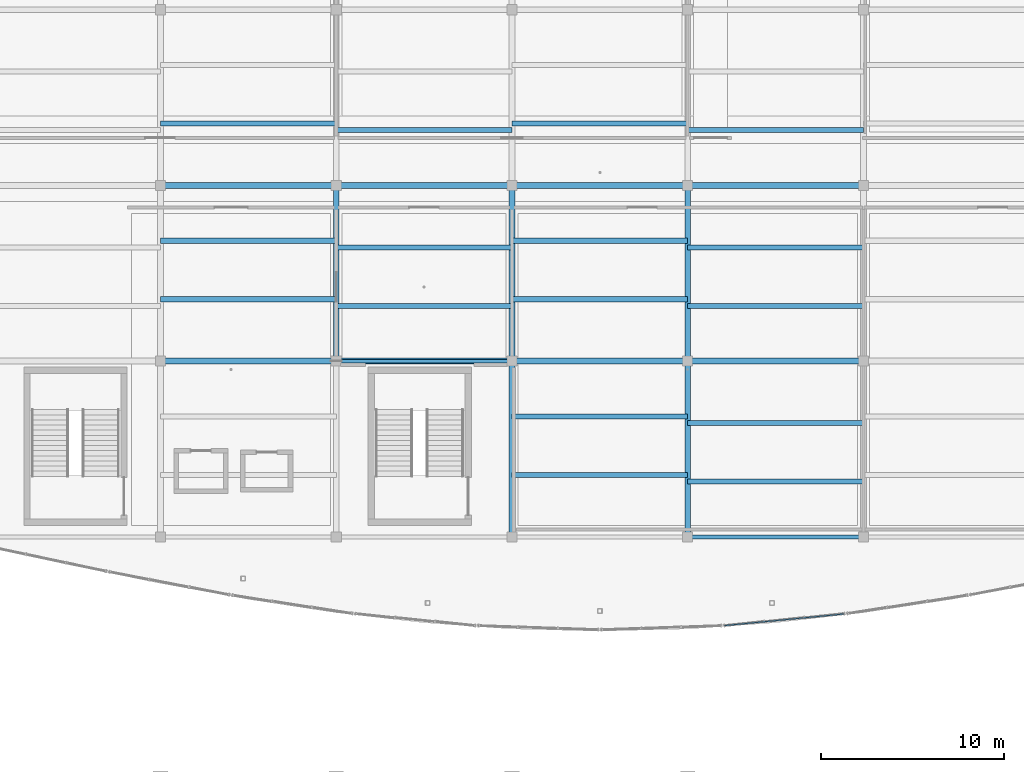
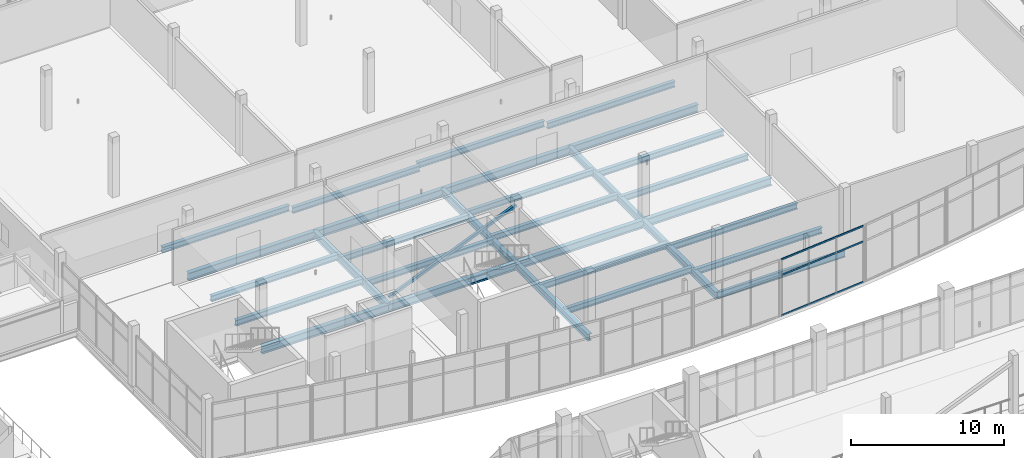
# One storey, part 83 of 157: 30 beams, 4 members, 1 element without a shape of its own.
"""IFC4 building model written with IfcOpenShell, lengths in metres."""

from ifc_helpers import new_model, si_unit, direction, frame, origin, origin_2d, place, context, subcontext, project, spatial, hollow_rectangle, i_section, extrude, material, layer, layer_set, material_profile, profile_set, type_object, element, aggregate, save


model = new_model("IFC4")

# Units and contexts
model_context = context("Model", 3, precision=1e-05, world=origin(), true_north=direction((0.0, 1.0)))
body_context = subcontext(model_context, "Body", "Model", "MODEL_VIEW")
ifc_project = project(units=[si_unit("LENGTHUNIT", "METRE"), si_unit("AREAUNIT", "SQUARE_METRE"), si_unit("VOLUMEUNIT", "CUBIC_METRE"), si_unit("PLANEANGLEUNIT", "RADIAN"), si_unit("MASSUNIT", "GRAM", prefix="KILO")], contexts=[model_context])

# Site, building, storey
site_placement = place(None, origin())
site = spatial("IfcSite", under=ifc_project, at=site_placement, CompositionType="ELEMENT")
building_placement = place(site_placement, origin())
building = spatial("IfcBuilding", under=site, at=building_placement, Name="Chalmorin Arch Market", CompositionType="ELEMENT")
storey_placement = place(building_placement, frame((0.0, 0.0, 4.800048828125)))
storey = spatial("IfcBuildingStorey", under=building, at=storey_placement, Name="L01", CompositionType="ELEMENT", Elevation=4.800048828125)

# Curtain wall, members
ifc_material_1 = material(Name="Aluminium 6063-T6", Category="aluminium")
ifc_layer = layer(ifc_material_1, 0.159912109375)
ifc_layer_set = layer_set([ifc_layer], Name="Aluminium 6063-T6")
curtain_wall_type = type_object("IfcCurtainWallType", Name="CulinaryStudioCurtainWall-CW3-6570x4520", PredefinedType="NOTDEFINED", material=ifc_layer_set)
curtain_wall_placement = place(storey_placement, origin())
curtain_wall = element("IfcCurtainWall", 1, at=curtain_wall_placement, inside=storey, type_object=curtain_wall_type, Name="CW-03-168", PredefinedType="NOTDEFINED")
ifc_material_profile_1 = material_profile(ifc_material_1, hollow_rectangle(XDim=0.06494140625, YDim=0.1298828125, WallThickness=0.00390625, at=origin_2d()), Name="ALU65X130X4")
ifc_profile_set_1 = profile_set([ifc_material_profile_1], Name="Aluminium 6063-T6")
member_type_1 = type_object("IfcMemberType", Name="CurtainWallTransom-65x130", PredefinedType="USERDEFINED", material=ifc_profile_set_1)
member_1_placement = place(storey_placement, frame((88.40966796875, 67.15380859375, 0.034912109375), z_axis=(0.995298859057, 0.096851335357, 0.0), x_axis=(-0.096851335357, 0.995298859057, 0.0)))
member_1 = element("IfcMember", 2, at=member_1_placement, type_object=member_type_1, Name="TR-168-01", ObjectType="TRANSOM", PredefinedType="USERDEFINED", context=body_context, shape_type="SweptSolid", body=[
    extrude(hollow_rectangle(XDim=0.06494140625, YDim=0.1298828125, WallThickness=0.00390625, at=origin_2d()), origin(), (0.0, 0.0, 1.0), 6.57177734375),
])
member_2_placement = place(storey_placement, frame((88.40966796875, 67.15380859375, 3.25439453125), z_axis=(0.995298859057, 0.096851335357, 0.0), x_axis=(-0.096851335357, 0.995298859057, 0.0)))
member_2 = element("IfcMember", 3, at=member_2_placement, type_object=member_type_1, Name="TR-168-02", ObjectType="TRANSOM", PredefinedType="USERDEFINED", context=body_context, shape_type="SweptSolid", body=[
    extrude(hollow_rectangle(XDim=0.06494140625, YDim=0.1298828125, WallThickness=0.00390625, at=origin_2d()), origin(), (0.0, 0.0, 1.0), 6.57177734375),
])
member_3_placement = place(storey_placement, frame((88.40966796875, 67.15380859375, 4.48486328125), z_axis=(0.995298859057, 0.096851335357, 0.0), x_axis=(-0.096851335357, 0.995298859057, 0.0)))
member_3 = element("IfcMember", 4, at=member_3_placement, type_object=member_type_1, Name="TR-168-03", ObjectType="TRANSOM", PredefinedType="USERDEFINED", context=body_context, shape_type="SweptSolid", body=[
    extrude(hollow_rectangle(XDim=0.06494140625, YDim=0.1298828125, WallThickness=0.00390625, at=origin_2d()), origin(), (0.0, 0.0, 1.0), 6.57177734375),
])
aggregate(curtain_wall, [member_1, member_2, member_3])

# Beams
ifc_material_2 = material(Name="Steel A992 Grade 50", Category="steel")
ifc_material_profile_2 = material_profile(ifc_material_2, i_section(OverallWidth=0.326904296875, OverallDepth=0.6220703125, WebThickness=0.015380859375, FlangeThickness=0.0244140625, FilletRadius=0.02392578125, at=origin_2d()), Name="W24X131")
ifc_profile_set_2 = profile_set([ifc_material_profile_2], Name="Steel A992 Grade 50")
beam_type_1 = type_object("IfcBeamType", Name="HeavyFloorGirder-W24X131", PredefinedType="BEAM", material=ifc_profile_set_2)
for number, where, z_axis, x_axis, name in (
    (5, (57.60009765625, 81.60009765625, -0.633056640625), (1.0, 0.0, 0.0), (0.0, 1.0, 0.0), "BG-W24C-0895"),
    (6, (57.60009765625, 91.199951171875, -0.633056640625), (1.0, 0.0, 0.0), (0.0, 1.0, 0.0), "BG-W24C-0897"),
):
    element("IfcBeam", number, at=place(storey_placement, frame(where, z_axis=z_axis, x_axis=x_axis)), inside=storey, type_object=beam_type_1, Name=name, PredefinedType="BEAM", context=body_context, shape_type="SweptSolid", body=[
        extrude(i_section(OverallWidth=0.326904296875, OverallDepth=0.6220703125, WebThickness=0.015380859375, FlangeThickness=0.0244140625, FilletRadius=0.02392578125, at=origin_2d()), origin(), (0.0, 0.0, 1.0), 9.599853515625),
    ])
for number, where, z_axis, x_axis, name in (
    (7, (67.199951171875, 81.60009765625, -0.633056640625), (1.0, 0.0, 0.0), (0.0, 1.0, 0.0), "BG-W24C-0906"),
    (8, (67.199951171875, 91.199951171875, -0.633056640625), (1.0, 0.0, 0.0), (0.0, 1.0, 0.0), "BG-W24C-0908"),
):
    element("IfcBeam", number, at=place(storey_placement, frame(where, z_axis=z_axis, x_axis=x_axis)), inside=storey, type_object=beam_type_1, Name=name, PredefinedType="BEAM", context=body_context, shape_type="SweptSolid", body=[
        extrude(i_section(OverallWidth=0.326904296875, OverallDepth=0.6220703125, WebThickness=0.015380859375, FlangeThickness=0.0244140625, FilletRadius=0.02392578125, at=origin_2d()), origin(), (0.0, 0.0, 1.0), 9.60009765625),
    ])
for number, where, z_axis, x_axis, name in (
    (9, (76.800048828125, 81.60009765625, -0.633056640625), (1.0, 0.0, 0.0), (0.0, 1.0, 0.0), "BG-W24C-0917"),
    (10, (76.800048828125, 91.199951171875, -0.633056640625), (1.0, 0.0, 0.0), (0.0, 1.0, 0.0), "BG-W24C-0919"),
):
    element("IfcBeam", number, at=place(storey_placement, frame(where, z_axis=z_axis, x_axis=x_axis)), inside=storey, type_object=beam_type_1, Name=name, PredefinedType="BEAM", context=body_context, shape_type="SweptSolid", body=[
        extrude(i_section(OverallWidth=0.326904296875, OverallDepth=0.6220703125, WebThickness=0.015380859375, FlangeThickness=0.0244140625, FilletRadius=0.02392578125, at=origin_2d()), origin(), (0.0, 0.0, 1.0), 9.599853515625),
    ])
for number, where, z_axis, x_axis, name in (
    (11, (86.39990234375, 81.60009765625, -0.633056640625), (1.0, 0.0, 0.0), (0.0, 1.0, 0.0), "BG-W24C-0928"),
    (12, (86.39990234375, 91.199951171875, -0.633056640625), (1.0, 0.0, 0.0), (0.0, 1.0, 0.0), "BG-W24C-0930"),
):
    element("IfcBeam", number, at=place(storey_placement, frame(where, z_axis=z_axis, x_axis=x_axis)), inside=storey, type_object=beam_type_1, Name=name, PredefinedType="BEAM", context=body_context, shape_type="SweptSolid", body=[
        extrude(i_section(OverallWidth=0.326904296875, OverallDepth=0.6220703125, WebThickness=0.015380859375, FlangeThickness=0.0244140625, FilletRadius=0.02392578125, at=origin_2d()), origin(), (0.0, 0.0, 1.0), 9.60009765625),
    ])
ifc_material_profile_3 = material_profile(ifc_material_2, i_section(OverallWidth=0.31201171875, OverallDepth=0.54296875, WebThickness=0.0126953125, FlangeThickness=0.020263671875, FilletRadius=0.02197265625, at=origin_2d()), Name="W21X101")
ifc_profile_set_3 = profile_set([ifc_material_profile_3], Name="Steel A992 Grade 50")
beam_type_2 = type_object("IfcBeamType", Name="KitchenSteelGirder-W21X101", PredefinedType="BEAM", material=ifc_profile_set_3)
beam_1_placement = place(storey_placement, frame((67.199951171875, 81.60009765625, -0.593505859375), z_axis=(0.0, 1.0, 0.0), x_axis=(-1.0, 0.0, 0.0)))
element("IfcBeam", 13, at=beam_1_placement, inside=storey, type_object=beam_type_2, Name="BG-W21C-0898", PredefinedType="BEAM", context=body_context, shape_type="SweptSolid", body=[
    extrude(i_section(OverallWidth=0.31201171875, OverallDepth=0.54296875, WebThickness=0.0126953125, FlangeThickness=0.020263671875, FilletRadius=0.02197265625, at=origin_2d()), origin(), (0.0, 0.0, 1.0), 9.599853515625),
])
beam_2_placement = place(storey_placement, frame((76.800048828125, 72.0, -0.593505859375), z_axis=(0.0, 1.0, 0.0), x_axis=(-1.0, 0.0, 0.0)))
element("IfcBeam", 14, at=beam_2_placement, inside=storey, type_object=beam_type_2, Name="BG-W21C-0907", PredefinedType="BEAM", context=body_context, shape_type="SweptSolid", body=[
    extrude(i_section(OverallWidth=0.31201171875, OverallDepth=0.54296875, WebThickness=0.0126953125, FlangeThickness=0.020263671875, FilletRadius=0.02197265625, at=origin_2d()), origin(), (0.0, 0.0, 1.0), 9.60009765625),
])
beam_3_placement = place(storey_placement, frame((76.800048828125, 81.60009765625, -0.593505859375), z_axis=(0.0, 1.0, 0.0), x_axis=(-1.0, 0.0, 0.0)))
element("IfcBeam", 15, at=beam_3_placement, inside=storey, type_object=beam_type_2, Name="BG-W21C-0909", PredefinedType="BEAM", context=body_context, shape_type="SweptSolid", body=[
    extrude(i_section(OverallWidth=0.31201171875, OverallDepth=0.54296875, WebThickness=0.0126953125, FlangeThickness=0.020263671875, FilletRadius=0.02197265625, at=origin_2d()), origin(), (0.0, 0.0, 1.0), 9.599853515625),
])
beam_4_placement = place(storey_placement, frame((86.39990234375, 72.0, -0.593505859375), z_axis=(0.0, 1.0, 0.0), x_axis=(-1.0, 0.0, 0.0)))
element("IfcBeam", 16, at=beam_4_placement, inside=storey, type_object=beam_type_2, Name="BG-W21C-0918", PredefinedType="BEAM", context=body_context, shape_type="SweptSolid", body=[
    extrude(i_section(OverallWidth=0.31201171875, OverallDepth=0.54296875, WebThickness=0.0126953125, FlangeThickness=0.020263671875, FilletRadius=0.02197265625, at=origin_2d()), origin(), (0.0, 0.0, 1.0), 9.60009765625),
])
beam_5_placement = place(storey_placement, frame((86.39990234375, 81.60009765625, -0.593505859375), z_axis=(0.0, 1.0, 0.0), x_axis=(-1.0, 0.0, 0.0)))
element("IfcBeam", 17, at=beam_5_placement, inside=storey, type_object=beam_type_2, Name="BG-W21C-0920", PredefinedType="BEAM", context=body_context, shape_type="SweptSolid", body=[
    extrude(i_section(OverallWidth=0.31201171875, OverallDepth=0.54296875, WebThickness=0.0126953125, FlangeThickness=0.020263671875, FilletRadius=0.02197265625, at=origin_2d()), origin(), (0.0, 0.0, 1.0), 9.599853515625),
])

# Member
ifc_material_3 = material(Name="Steel A500 Grade C", Category="steel")
ifc_material_profile_4 = material_profile(ifc_material_3, hollow_rectangle(XDim=0.203125, YDim=0.203125, WallThickness=0.01171875, at=origin_2d()), Name="HSS8X8X1/2")
ifc_profile_set_4 = profile_set([ifc_material_profile_4], Name="Steel A500 Grade C")
member_type_2 = type_object("IfcMemberType", Name="LateralTubeBrace-HSS8X8", PredefinedType="BRACE", material=ifc_profile_set_4)
member_4_placement = place(storey_placement, frame((67.199951171875, 81.60009765625, 0.14990234375), z_axis=(0.923078312116, 0.0, 0.384612050905), x_axis=(0.0, 1.0, 0.0)))
element("IfcMember", 18, at=member_4_placement, inside=storey, type_object=member_type_2, Name="BR-HS8-0343", ObjectType="Diagonal brace", PredefinedType="BRACE", context=body_context, shape_type="SweptSolid", body=[
    extrude(hollow_rectangle(XDim=0.203125, YDim=0.203125, WallThickness=0.01171875, at=origin_2d()), origin(), (0.0, 0.0, 1.0), 10.400146484375),
])

# Beams
ifc_material_profile_5 = material_profile(ifc_material_2, i_section(OverallWidth=0.208984375, OverallDepth=0.532958984375, WebThickness=0.01025390625, FlangeThickness=0.015625, FilletRadius=0.02197265625, at=origin_2d()), Name="W21X62")
ifc_profile_set_5 = profile_set([ifc_material_profile_5], Name="Steel A992 Grade 50")
beam_type_3 = type_object("IfcBeamType", Name="PerimeterSpandrelBeam-W21X62", PredefinedType="SPANDREL", material=ifc_profile_set_5)
beam_6_placement = place(storey_placement, frame((86.39990234375, 72.0, -0.588623046875), z_axis=(1.0, 0.0, 0.0), x_axis=(0.0, 1.0, 0.0)))
element("IfcBeam", 19, at=beam_6_placement, inside=storey, type_object=beam_type_3, Name="SP-W21-0927", PredefinedType="SPANDREL", context=body_context, shape_type="SweptSolid", body=[
    extrude(i_section(OverallWidth=0.208984375, OverallDepth=0.532958984375, WebThickness=0.01025390625, FlangeThickness=0.015625, FilletRadius=0.02197265625, at=origin_2d()), origin(), (0.0, 0.0, 1.0), 9.60009765625),
])
ifc_material_profile_6 = material_profile(ifc_material_2, i_section(OverallWidth=0.280029296875, OverallDepth=0.462890625, WebThickness=0.0107421875, FlangeThickness=0.017333984375, FilletRadius=0.02001953125, at=origin_2d()), Name="W18X76")
ifc_profile_set_6 = profile_set([ifc_material_profile_6], Name="Steel A992 Grade 50")
beam_type_4 = type_object("IfcBeamType", Name="WorkshopSteelBeam-W18X76", PredefinedType="BEAM", material=ifc_profile_set_6)
for number, where, z_axis, x_axis, name in (
    (20, (57.60009765625, 84.97998046875, -0.553466796875), (1.0, 0.0, 0.0), (0.0, 1.0, 0.0), "BM-W18C-0970"),
    (21, (57.60009765625, 88.179931640625, -0.553466796875), (1.0, 0.0, 0.0), (0.0, 1.0, 0.0), "BM-W18C-0971"),
    (22, (57.60009765625, 94.580078125, -0.553466796875), (1.0, 0.0, 0.0), (0.0, 1.0, 0.0), "BM-W18C-0972"),
):
    element("IfcBeam", number, at=place(storey_placement, frame(where, z_axis=z_axis, x_axis=x_axis)), inside=storey, type_object=beam_type_4, Name=name, PredefinedType="BEAM", context=body_context, shape_type="SweptSolid", body=[
        extrude(i_section(OverallWidth=0.280029296875, OverallDepth=0.462890625, WebThickness=0.0107421875, FlangeThickness=0.017333984375, FilletRadius=0.02001953125, at=origin_2d()), origin(), (0.0, 0.0, 1.0), 9.599853515625),
    ])
for number, where, z_axis, x_axis, name in (
    (23, (67.199951171875, 84.6201171875, -0.553466796875), (1.0, 0.0, 0.0), (0.0, 1.0, 0.0), "BM-W18C-0978"),
    (24, (67.199951171875, 87.820068359375, -0.553466796875), (1.0, 0.0, 0.0), (0.0, 1.0, 0.0), "BM-W18C-0979"),
    (25, (67.199951171875, 94.219970703125, -0.553466796875), (1.0, 0.0, 0.0), (0.0, 1.0, 0.0), "BM-W18C-0980"),
):
    element("IfcBeam", number, at=place(storey_placement, frame(where, z_axis=z_axis, x_axis=x_axis)), inside=storey, type_object=beam_type_4, Name=name, PredefinedType="BEAM", context=body_context, shape_type="SweptSolid", body=[
        extrude(i_section(OverallWidth=0.280029296875, OverallDepth=0.462890625, WebThickness=0.0107421875, FlangeThickness=0.017333984375, FilletRadius=0.02001953125, at=origin_2d()), origin(), (0.0, 0.0, 1.0), 9.60009765625),
    ])
for number, where, z_axis, x_axis, name in (
    (26, (76.800048828125, 75.3798828125, -0.553466796875), (1.0, 0.0, 0.0), (0.0, 1.0, 0.0), "BM-W18C-0986"),
    (27, (76.800048828125, 78.580078125, -0.553466796875), (1.0, 0.0, 0.0), (0.0, 1.0, 0.0), "BM-W18C-0987"),
    (28, (76.800048828125, 84.97998046875, -0.553466796875), (1.0, 0.0, 0.0), (0.0, 1.0, 0.0), "BM-W18C-0988"),
    (29, (76.800048828125, 88.179931640625, -0.553466796875), (1.0, 0.0, 0.0), (0.0, 1.0, 0.0), "BM-W18C-0989"),
    (30, (76.800048828125, 94.580078125, -0.553466796875), (1.0, 0.0, 0.0), (0.0, 1.0, 0.0), "BM-W18C-0990"),
):
    element("IfcBeam", number, at=place(storey_placement, frame(where, z_axis=z_axis, x_axis=x_axis)), inside=storey, type_object=beam_type_4, Name=name, PredefinedType="BEAM", context=body_context, shape_type="SweptSolid", body=[
        extrude(i_section(OverallWidth=0.280029296875, OverallDepth=0.462890625, WebThickness=0.0107421875, FlangeThickness=0.017333984375, FilletRadius=0.02001953125, at=origin_2d()), origin(), (0.0, 0.0, 1.0), 9.599853515625),
    ])
for number, where, z_axis, x_axis, name in (
    (31, (86.39990234375, 75.02001953125, -0.553466796875), (1.0, 0.0, 0.0), (0.0, 1.0, 0.0), "BM-W18C-0996"),
    (32, (86.39990234375, 78.219970703125, -0.553466796875), (1.0, 0.0, 0.0), (0.0, 1.0, 0.0), "BM-W18C-0997"),
    (33, (86.39990234375, 84.6201171875, -0.553466796875), (1.0, 0.0, 0.0), (0.0, 1.0, 0.0), "BM-W18C-0998"),
    (34, (86.39990234375, 87.820068359375, -0.553466796875), (1.0, 0.0, 0.0), (0.0, 1.0, 0.0), "BM-W18C-0999"),
    (35, (86.39990234375, 94.219970703125, -0.553466796875), (1.0, 0.0, 0.0), (0.0, 1.0, 0.0), "BM-W18C-1000"),
):
    element("IfcBeam", number, at=place(storey_placement, frame(where, z_axis=z_axis, x_axis=x_axis)), inside=storey, type_object=beam_type_4, Name=name, PredefinedType="BEAM", context=body_context, shape_type="SweptSolid", body=[
        extrude(i_section(OverallWidth=0.280029296875, OverallDepth=0.462890625, WebThickness=0.0107421875, FlangeThickness=0.017333984375, FilletRadius=0.02001953125, at=origin_2d()), origin(), (0.0, 0.0, 1.0), 9.60009765625),
    ])

save(model, "model.ifc")
